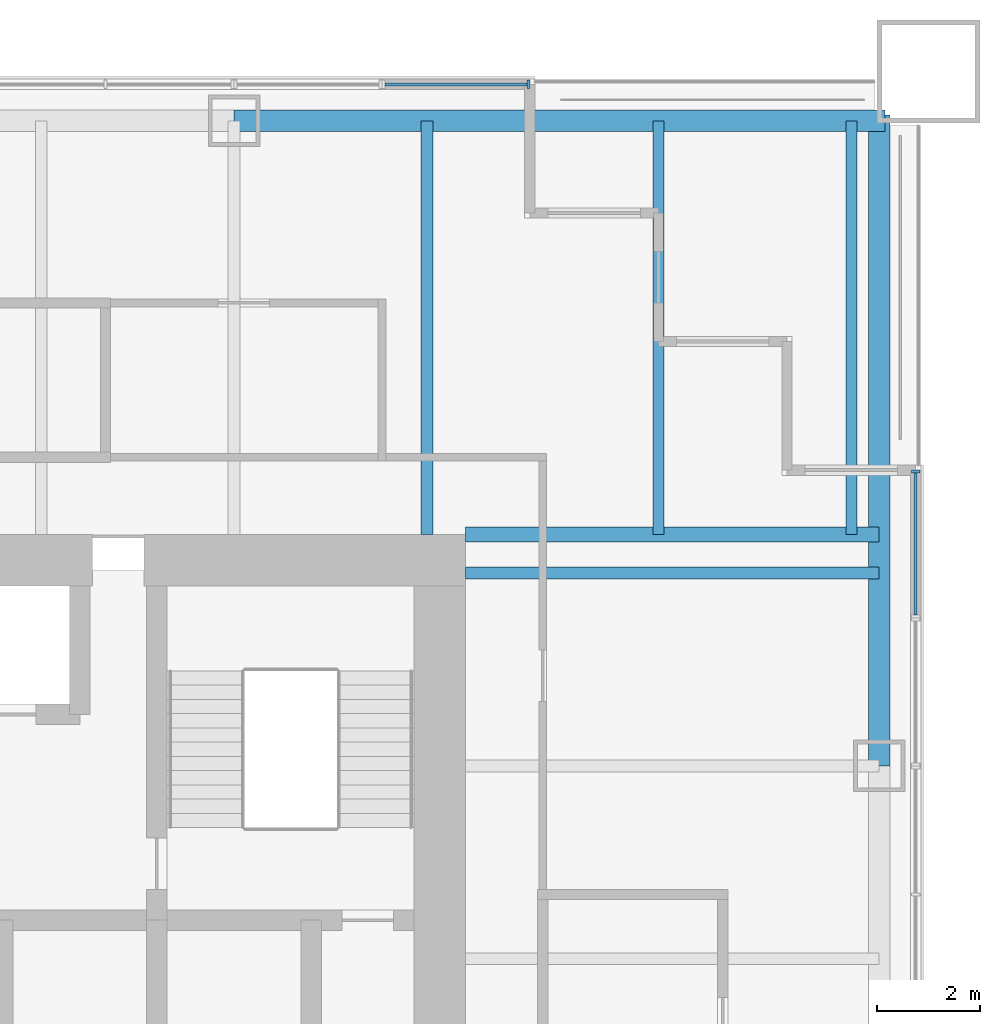
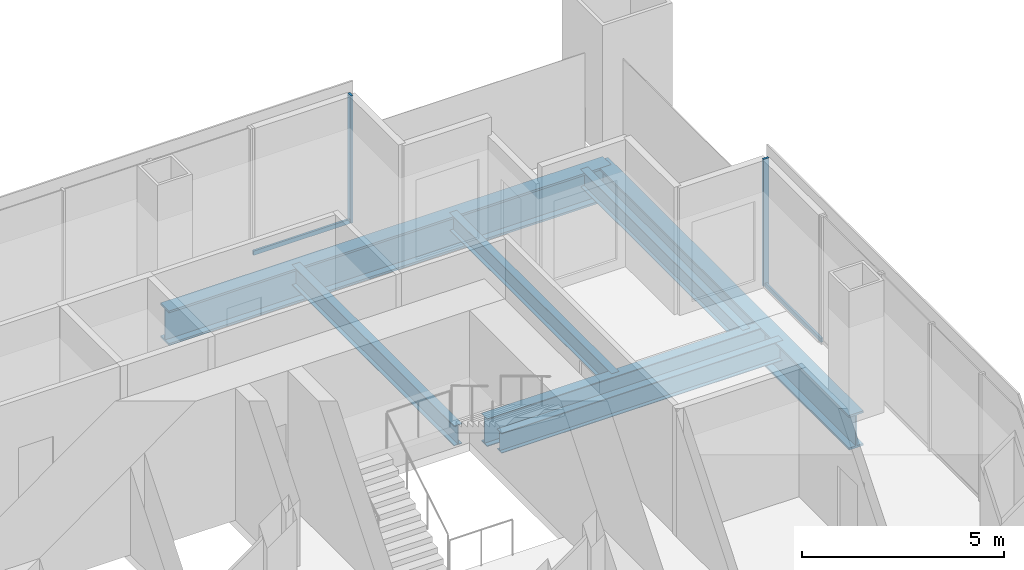
# One storey, part 7 of 14: 7 beams, 4 members, 2 elements without a shape of their own.
"""IFC4 building model written with IfcOpenShell, lengths in metres."""

import ifcopenshell
import ifcopenshell.guid

model = None  # the IFC model being written
_history = None  # IfcOwnerHistory: only IFC2X3 demands one
_inside = {}  # id of a spatial element -> (the spatial element, [elements in it])
_under = {}  # id of a project, library or spatial element -> (it, [spatial elements below it])
_declared = {}  # id of a project -> (the project, [libraries it declares])
_typed = {}  # id of a type object -> (the type object, [elements of that type])
_made_of = {}  # id of a material, layer set ... -> (it, [elements and type objects made of it])


def new_model(schema):
    """Start an empty IFC model of exactly this schema.

    Asked for "IFC4X3", IfcOpenShell would pick the latest addendum, in which some entities
    have other attributes; the version numbers below select the first issue.
    IFC2X3 requires an IfcOwnerHistory on every rooted entity: one is made here for all.
    """
    global model, _history
    if schema == "IFC4X3":
        model = ifcopenshell.file(schema_version=(4, 3, 0, 0))
    else:
        model = ifcopenshell.file(schema=schema)
    _inside.clear()
    _under.clear()
    _declared.clear()
    _typed.clear()
    _made_of.clear()
    _history = None
    if model.schema == "IFC2X3":
        org = make("IfcOrganization", Name="unknown")
        user = make(
            "IfcPersonAndOrganization",
            ThePerson=make("IfcPerson", FamilyName="unknown"),
            TheOrganization=org,
        )
        app = make(
            "IfcApplication",
            ApplicationDeveloper=org,
            Version="unknown",
            ApplicationFullName="unknown",
            ApplicationIdentifier="unknown",
        )
        _history = make(
            "IfcOwnerHistory",
            OwningUser=user,
            OwningApplication=app,
            ChangeAction="ADDED",
            CreationDate=0,
        )
    return model


def make(cls, **values):
    """One entity of the class cls with the attributes given. An attribute that is None is left unset."""
    return model.create_entity(
        cls, **{name: value for name, value in values.items() if value is not None}
    )


def rooted(cls, **values):
    """An entity with a GlobalId (a new one), such as an element, a storey or a relation."""
    return make(cls, GlobalId=ifcopenshell.guid.new(), OwnerHistory=_history, **values)


def si_unit(unit_type, name, prefix=None):
    """IfcSIUnit, for example si_unit("LENGTHUNIT", "METRE", prefix="MILLI")."""
    return make("IfcSIUnit", UnitType=unit_type, Prefix=prefix, Name=name)


def assignment(units):
    """IfcUnitAssignment: the units of a project."""
    return None if units is None else make("IfcUnitAssignment", Units=units)


def point(xyz):
    """IfcCartesianPoint."""
    return None if xyz is None else make("IfcCartesianPoint", Coordinates=xyz)


def direction(xyz):
    """IfcDirection."""
    return None if xyz is None else make("IfcDirection", DirectionRatios=xyz)


def frame(location, z_axis=None, x_axis=None):
    """IfcAxis2Placement3D, a coordinate frame: its origin and axes. An axis left out is left unset."""
    return make(
        "IfcAxis2Placement3D",
        Location=point(location),
        Axis=direction(z_axis),
        RefDirection=direction(x_axis),
    )


def frame_2d(location, x_axis=None):
    """IfcAxis2Placement2D, a coordinate frame in the plane: its origin and x axis."""
    return make(
        "IfcAxis2Placement2D", Location=point(location), RefDirection=direction(x_axis)
    )


def origin():
    """The frame at (0, 0, 0) with its axes left unset."""
    return frame((0.0, 0.0, 0.0))


def origin_2d():
    """The frame at (0, 0) in the plane with its x axis left unset."""
    return frame_2d((0.0, 0.0))


def place(relative_to, where):
    """IfcLocalPlacement: puts the frame where relative to a parent placement (None: the world)."""
    return make(
        "IfcLocalPlacement", PlacementRelTo=relative_to, RelativePlacement=where
    )


def context(
    kind, dimensions, precision=None, world=None, true_north=None, identifier=None
):
    """IfcGeometricRepresentationContext, for example the 3D "Model" context."""
    return make(
        "IfcGeometricRepresentationContext",
        ContextIdentifier=identifier,
        ContextType=kind,
        CoordinateSpaceDimension=dimensions,
        Precision=precision,
        WorldCoordinateSystem=world,
        TrueNorth=true_north,
    )


def subcontext(parent, identifier, kind, view, scale=None):
    """IfcGeometricRepresentationSubContext, for example "Body" below "Model"."""
    return make(
        "IfcGeometricRepresentationSubContext",
        ContextIdentifier=identifier,
        ContextType=kind,
        ParentContext=parent,
        TargetScale=scale,
        TargetView=view,
    )


def project(units=None, contexts=None):
    """IfcProject with its units and contexts."""
    return rooted(
        "IfcProject",
        Name="project",
        RepresentationContexts=contexts,
        UnitsInContext=assignment(units),
    )


def spatial(cls, under=None, at=None, **own):
    """A site, building, storey or space (cls), placed at a placement, below another one or the project."""
    s = rooted(cls, ObjectPlacement=at, **own)
    if under is not None:
        _under.setdefault(under.id(), (under, []))[1].append(s)
    return s


def profile(cls, at=None, kind="AREA", **sizes):
    """A parametric profile (cls). Its sizes go by their IFC names, for example OverallWidth=200.0."""
    return make(cls, ProfileType=kind, Position=at, **sizes)


def rectangle(**sizes):
    """IfcRectangleProfileDef."""
    return profile("IfcRectangleProfileDef", **sizes)


def i_section(**sizes):
    """IfcIShapeProfileDef."""
    return profile("IfcIShapeProfileDef", **sizes)


def extrude(swept, where, along, depth):
    """IfcExtrudedAreaSolid: the profile swept, set in the frame where, extruded along a direction by depth."""
    return make(
        "IfcExtrudedAreaSolid",
        SweptArea=swept,
        Position=where,
        ExtrudedDirection=direction(along),
        Depth=depth,
    )


def shape(context_of_items, identifier, shape_type, items):
    """IfcShapeRepresentation: the items that make up one representation, for example the "Body"."""
    return make(
        "IfcShapeRepresentation",
        ContextOfItems=context_of_items,
        RepresentationIdentifier=identifier,
        RepresentationType=shape_type,
        Items=items,
    )


def material(Name=None, Category=None):
    """IfcMaterial."""
    return make("IfcMaterial", Name=Name, Category=Category)


def material_profile(
    of_material, cross_section, Name=None, Category=None, Priority=None
):
    """IfcMaterialProfile: a cross section and its material."""
    return make(
        "IfcMaterialProfile",
        Name=Name,
        Material=of_material,
        Profile=cross_section,
        Priority=Priority,
        Category=Category,
    )


def profile_set(profiles, Name=None, composite=None):
    """IfcMaterialProfileSet."""
    return make(
        "IfcMaterialProfileSet",
        Name=Name,
        MaterialProfiles=profiles,
        CompositeProfile=composite,
    )


def made_of(thing, what):
    """Note that an element or type object is made of a material, layer set ...; save() writes the relation."""
    if what is not None:
        _made_of.setdefault(what.id(), (what, []))[1].append(thing)
    return thing


def type_object(cls, material=None, **own):
    """A type object (cls), such as IfcWallType, which elements share."""
    return made_of(rooted(cls, **own), material)


def element(
    cls,
    number,
    at=None,
    inside=None,
    cuts=None,
    type_object=None,
    material=None,
    context=None,
    identifier="Body",
    shape_type=None,
    held_by="IfcProductDefinitionShape",
    body=None,
    shapes=None,
    **own,
):
    """One element of the class cls, such as IfcWall. Its Tag is "e" and its number.

    at: its placement. inside: the storey or other place that contains it. cuts: it is an
    opening in that element (IfcRelVoidsElement). A single representation is given by context,
    identifier, shape_type and body (its items); several are given by shapes. held_by: the class
    of the entity that holds the representations. save() writes the other relations.
    """
    e = rooted(cls, Tag="e%d" % number, ObjectPlacement=at, **own)
    if body is not None:
        shapes = [shape(context, identifier, shape_type, body)]
    if shapes is not None:
        e.Representation = make(held_by, Representations=shapes)
    if inside is not None:
        _inside.setdefault(inside.id(), (inside, []))[1].append(e)
    if cuts is not None:
        rooted(
            "IfcRelVoidsElement", RelatingBuildingElement=cuts, RelatedOpeningElement=e
        )
    if type_object is not None:
        _typed.setdefault(type_object.id(), (type_object, []))[1].append(e)
    return made_of(e, material)


def aggregate(whole, parts):
    """IfcRelAggregates: a whole, such as a stair, and the parts it consists of."""
    return rooted("IfcRelAggregates", RelatingObject=whole, RelatedObjects=parts)


def save(model, path):
    """Write the relations noted so far, then the file.

    IfcRelAggregates (storeys below a building ...), IfcRelContainedInSpatialStructure (elements
    in a storey), IfcRelDefinesByType, IfcRelAssociatesMaterial and IfcRelDeclares: one each for
    every whole, place, type object, material and project.
    """
    for whole, parts in _under.values():
        aggregate(whole, parts)
    for where, things in _inside.values():
        rooted(
            "IfcRelContainedInSpatialStructure",
            RelatedElements=things,
            RelatingStructure=where,
        )
    for kind, things in _typed.values():
        rooted("IfcRelDefinesByType", RelatedObjects=things, RelatingType=kind)
    for what, things in _made_of.values():
        rooted("IfcRelAssociatesMaterial", RelatedObjects=things, RelatingMaterial=what)
    for by, libraries in _declared.values():
        rooted("IfcRelDeclares", RelatingContext=by, RelatedDefinitions=libraries)
    model.write(path)


model = new_model("IFC4")

# Units and contexts
model_context = context("Model", 3, precision=1e-05, world=origin(), true_north=direction((0.0, 1.0)))
body_context = subcontext(model_context, "Body", "Model", "MODEL_VIEW")
ifc_project = project(units=[si_unit("LENGTHUNIT", "METRE"), si_unit("AREAUNIT", "SQUARE_METRE"), si_unit("VOLUMEUNIT", "CUBIC_METRE"), si_unit("PLANEANGLEUNIT", "RADIAN"), si_unit("MASSUNIT", "GRAM", prefix="KILO")], contexts=[model_context])

# Site, building, storey
site_placement = place(None, origin())
site = spatial("IfcSite", under=ifc_project, at=site_placement, CompositionType="ELEMENT")
building_placement = place(site_placement, origin())
building = spatial("IfcBuilding", under=site, at=building_placement, Name="Tarangal Relay Tower", CompositionType="ELEMENT")
storey_placement = place(building_placement, frame((0.0, 0.0, 327.89990234375)))
storey = spatial("IfcBuildingStorey", under=building, at=storey_placement, Name="L73", CompositionType="ELEMENT", Elevation=327.89990234375)

# Beams
ifc_material_1 = material(Name="Steel ASTM A992", Category="steel")
ifc_material_profile_1 = material_profile(ifc_material_1, i_section(OverallWidth=0.209228515625, OverallDepth=0.533447265625, WebThickness=0.01025390625, FlangeThickness=0.015625, at=origin_2d()), Name="W21X62")
ifc_profile_set_1 = profile_set([ifc_material_profile_1], Name="Steel ASTM A992")
beam_type_1 = type_object("IfcBeamType", Name="Corner beam W21X62", PredefinedType="JOIST", material=ifc_profile_set_1)
for number, where, z_axis, x_axis, name in (
    (1, (15.75, 12.0, -0.41650390625), (0.0, 1.0, 0.0), (-1.0, 0.0, 0.0), "Corner beam CB12 N L73"),
    (2, (19.5, 12.0, -0.41650390625), (0.0, 1.0, 0.0), (-1.0, 0.0, 0.0), "Corner beam CB12 N L73"),
):
    element("IfcBeam", number, at=place(storey_placement, frame(where, z_axis=z_axis, x_axis=x_axis)), inside=storey, type_object=beam_type_1, Name=name, PredefinedType="JOIST", context=body_context, shape_type="SweptSolid", body=[
        extrude(i_section(OverallWidth=0.209228515625, OverallDepth=0.533447265625, WebThickness=0.01025390625, FlangeThickness=0.015625, at=origin_2d()), origin(), (0.0, 0.0, 1.0), 8.0400390625),
    ])
ifc_material_profile_2 = material_profile(ifc_material_1, i_section(OverallWidth=0.2919921875, OverallDepth=0.8408203125, WebThickness=0.0146484375, FlangeThickness=0.021728515625, at=origin_2d()), Name="W33X130")
ifc_profile_set_2 = profile_set([ifc_material_profile_2], Name="Steel ASTM A992")
beam_type_2 = type_object("IfcBeamType", Name="Corner girder W33X130", PredefinedType="BEAM", material=ifc_profile_set_2)
beam_placement = place(storey_placement, frame((12.0, 12.0, -0.5703125), z_axis=(1.0, 0.0, 0.0), x_axis=(0.0, 1.0, 0.0)))
element("IfcBeam", 3, at=beam_placement, inside=storey, type_object=beam_type_2, Name="Corner girder CG5 N L73", PredefinedType="BEAM", context=body_context, shape_type="SweptSolid", body=[
    extrude(i_section(OverallWidth=0.2919921875, OverallDepth=0.8408203125, WebThickness=0.0146484375, FlangeThickness=0.021728515625, at=origin_2d()), origin(), (0.0, 0.0, 1.0), 8.0400390625),
])
ifc_material_profile_3 = material_profile(ifc_material_1, i_section(OverallWidth=0.41162109375, OverallDepth=1.049072265625, WebThickness=0.033935546875, FlangeThickness=0.059814453125, at=origin_2d()), Name="W40X431")
ifc_profile_set_3 = profile_set([ifc_material_profile_3], Name="Steel ASTM A992")
beam_type_3 = type_object("IfcBeamType", Name="Edge girder W40X431", PredefinedType="SPANDREL", material=ifc_profile_set_3)
for number, where, z_axis, x_axis, name in (
    (4, (7.5, 20.0400390625, -0.67431640625), (1.0, 0.0, 0.0), (0.0, 1.0, 0.0), "Edge girder EG1 N L73"),
    (5, (20.0400390625, 20.14990234375, -0.67431640625), (0.0, -1.0, 0.0), (1.0, 0.0, 0.0), "Edge girder EG1 E L73"),
):
    element("IfcBeam", number, at=place(storey_placement, frame(where, z_axis=z_axis, x_axis=x_axis)), inside=storey, type_object=beam_type_3, Name=name, PredefinedType="SPANDREL", context=body_context, shape_type="SweptSolid", body=[
        extrude(i_section(OverallWidth=0.41162109375, OverallDepth=1.049072265625, WebThickness=0.033935546875, FlangeThickness=0.059814453125, at=origin_2d()), origin(), (0.0, 0.0, 1.0), 12.64990234375),
    ])
ifc_material_profile_4 = material_profile(ifc_material_1, i_section(OverallWidth=0.228271484375, OverallDepth=0.607177734375, WebThickness=0.01123046875, FlangeThickness=0.017333984375, at=origin_2d()), Name="W24X76")
ifc_profile_set_4 = profile_set([ifc_material_profile_4], Name="Steel ASTM A992")
beam_type_4 = type_object("IfcBeamType", Name="Floor beam W24X76", PredefinedType="BEAM", material=ifc_profile_set_4)
for number, where, z_axis, x_axis, name in (
    (6, (11.25, 12.0, -0.453369140625), (0.0, 1.0, 0.0), (-1.0, 0.0, 0.0), "Floor beam RB5 N L73"),
    (7, (12.0, 11.25, -0.453369140625), (1.0, 0.0, 0.0), (0.0, 1.0, 0.0), "Floor beam RB5 E L73"),
):
    element("IfcBeam", number, at=place(storey_placement, frame(where, z_axis=z_axis, x_axis=x_axis)), inside=storey, type_object=beam_type_4, Name=name, PredefinedType="BEAM", context=body_context, shape_type="SweptSolid", body=[
        extrude(i_section(OverallWidth=0.228271484375, OverallDepth=0.607177734375, WebThickness=0.01123046875, FlangeThickness=0.017333984375, at=origin_2d()), origin(), (0.0, 0.0, 1.0), 8.0400390625),
    ])

# Curtain wall, member
ifc_material_2 = material(Name="Unitised curtain wall frame, black aluminium, with metal clad infill walls", Category="aluminium")
curtain_wall_type = type_object("IfcCurtainWallType", Name="Curtain wall CW-BO", PredefinedType="USERDEFINED", material=ifc_material_2)
curtain_wall_1_placement = place(storey_placement, origin())
curtain_wall_1 = element("IfcCurtainWall", 8, at=curtain_wall_1_placement, inside=storey, type_object=curtain_wall_type, Name="Curtain wall CW-BO N facade L73", ObjectType="UNITISED CURTAIN WALL", PredefinedType="USERDEFINED")
ifc_material_3 = material(Name="Black anodised aluminium mullion", Category="aluminium")
ifc_material_profile_5 = material_profile(ifc_material_3, rectangle(XDim=0.159912109375, YDim=0.06005859375, at=origin_2d()), Name="CW-BOM 60X160")
ifc_profile_set_5 = profile_set([ifc_material_profile_5], Name="Black anodised aluminium mullion")
member_type_1 = type_object("IfcMemberType", Name="Mullion CW-BO 60 x 160", PredefinedType="MULLION", material=ifc_profile_set_5)
member_1_placement = place(storey_placement, frame((13.219970703125, 20.75, 0.0), z_axis=(0.0, 0.0, 1.0), x_axis=(0.0, 1.0, 0.0)))
member_1 = element("IfcMember", 9, at=member_1_placement, type_object=member_type_1, Name="CW-BO mullion 2", PredefinedType="MULLION", context=body_context, shape_type="SweptSolid", body=[
    extrude(rectangle(XDim=0.159912109375, YDim=0.06005859375, at=origin_2d()), origin(), (0.0, 0.0, 1.0), 3.85009765625),
])

curtain_wall_2_placement = place(storey_placement, origin())
curtain_wall_2 = element("IfcCurtainWall", 10, at=curtain_wall_2_placement, inside=storey, type_object=curtain_wall_type, Name="Curtain wall CW-BO E facade L73", ObjectType="UNITISED CURTAIN WALL", PredefinedType="USERDEFINED")
member_2_placement = place(storey_placement, frame((20.75, 13.219970703125, 0.0), z_axis=(0.0, 0.0, 1.0), x_axis=(1.0, 0.0, 0.0)))
member_2 = element("IfcMember", 11, at=member_2_placement, type_object=member_type_1, Name="CW-BO mullion 1", PredefinedType="MULLION", context=body_context, shape_type="SweptSolid", body=[
    extrude(rectangle(XDim=0.159912109375, YDim=0.06005859375, at=origin_2d()), origin(), (0.0, 0.0, 1.0), 3.85009765625),
])

# Member
ifc_material_4 = material(Name="Black anodised aluminium transom", Category="aluminium")
ifc_material_profile_6 = material_profile(ifc_material_4, rectangle(XDim=0.06005859375, YDim=0.1298828125, at=origin_2d()), Name="CW-BOT 60X130")
ifc_profile_set_6 = profile_set([ifc_material_profile_6], Name="Black anodised aluminium transom")
member_type_2 = type_object("IfcMemberType", Name="Transom CW-BO 60 x 130", PredefinedType="USERDEFINED", material=ifc_profile_set_6)
member_3_placement = place(storey_placement, frame((10.43505859375, 20.75, 0.030029296875), z_axis=(1.0, 0.0, 0.0), x_axis=(0.0, 1.0, 0.0)))
member_3 = element("IfcMember", 12, at=member_3_placement, type_object=member_type_2, Name="CW-BO transom 1.1", ObjectType="TRANSOM", PredefinedType="USERDEFINED", context=body_context, shape_type="SweptSolid", body=[
    extrude(rectangle(XDim=0.06005859375, YDim=0.1298828125, at=origin_2d()), origin(), (0.0, 0.0, 1.0), 2.7548828125),
])

aggregate(curtain_wall_1, [member_1, member_3])

member_4_placement = place(storey_placement, frame((20.75, 13.18994140625, 0.030029296875), z_axis=(0.0, -1.0, 0.0), x_axis=(1.0, 0.0, 0.0)))
member_4 = element("IfcMember", 13, at=member_4_placement, type_object=member_type_2, Name="CW-BO transom 1.1", ObjectType="TRANSOM", PredefinedType="USERDEFINED", context=body_context, shape_type="SweptSolid", body=[
    extrude(rectangle(XDim=0.06005859375, YDim=0.1298828125, at=origin_2d()), origin(), (0.0, 0.0, 1.0), 2.7548828125),
])

aggregate(curtain_wall_2, [member_2, member_4])

save(model, "model.ifc")
